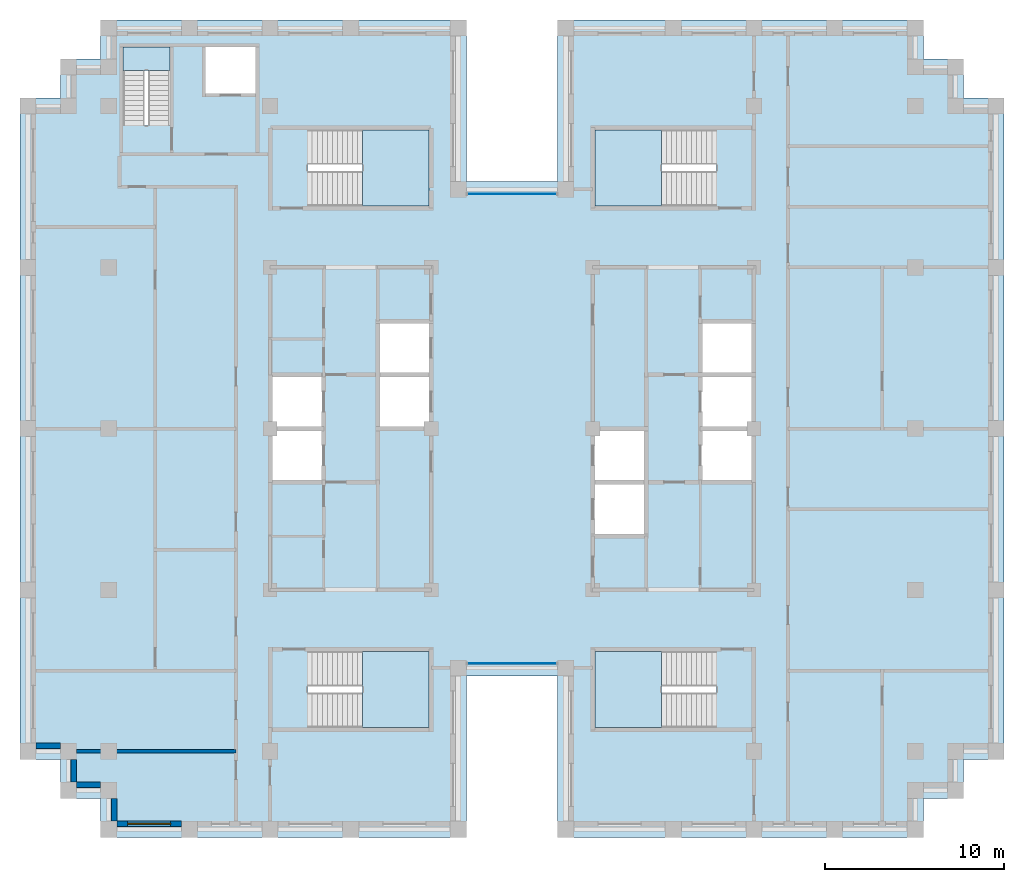
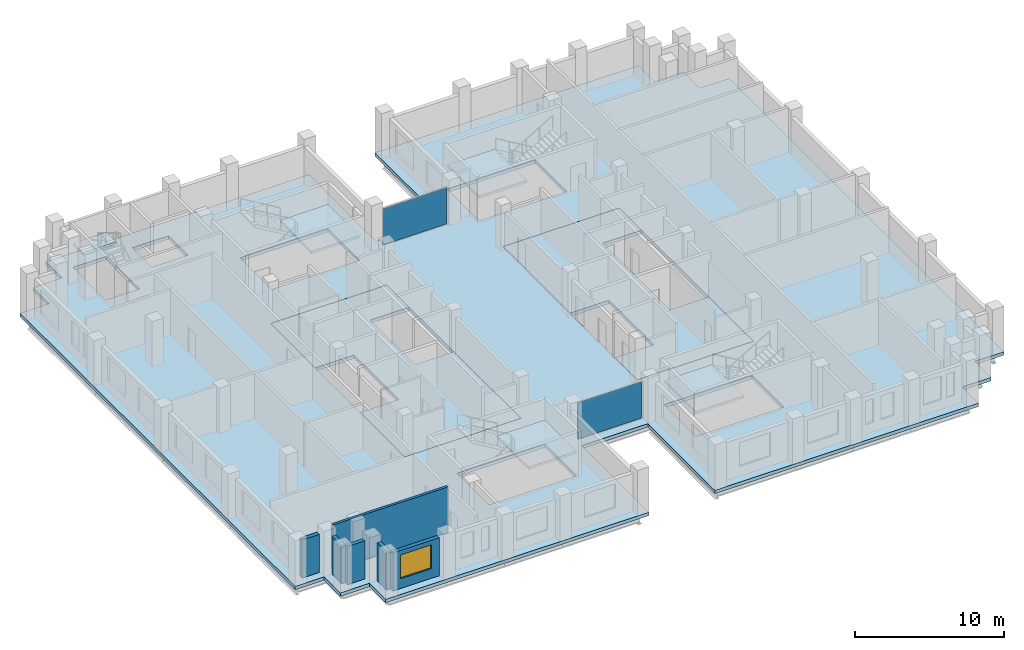
# One storey, part 5 of 13: 8 slabs, 6 walls, 2 plates, 1 window, 1 opening, 7 elements without a shape of their own.
"""IFC4 building model written with IfcOpenShell, lengths in metres."""

from ifc_helpers import new_model, si_unit, direction, frame, frame_2d, origin, origin_2d, place, context, subcontext, project, spatial, polyline, rectangle, outline, extrude, material, layer, layer_set, type_object, element, fill, aggregate, save


model = new_model("IFC4")

# Units and contexts
model_context = context("Model", 3, precision=1e-05, world=origin(), true_north=direction((0.0, 1.0)))
body_context = subcontext(model_context, "Body", "Model", "MODEL_VIEW")
ifc_project = project(units=[si_unit("LENGTHUNIT", "METRE"), si_unit("AREAUNIT", "SQUARE_METRE"), si_unit("VOLUMEUNIT", "CUBIC_METRE"), si_unit("PLANEANGLEUNIT", "RADIAN"), si_unit("MASSUNIT", "GRAM", prefix="KILO")], contexts=[model_context])

# Site, building, storey
site_placement = place(None, origin())
site = spatial("IfcSite", under=ifc_project, at=site_placement, CompositionType="ELEMENT")
building_placement = place(site_placement, origin())
building = spatial("IfcBuilding", under=site, at=building_placement, Name="Corbelhall Arena Tower", CompositionType="ELEMENT")
storey_placement = place(building_placement, frame((0.0, 0.0, 258.0)))
storey = spatial("IfcBuildingStorey", under=building, at=storey_placement, Name="L55", CompositionType="ELEMENT", Elevation=258.0)

# Curtain wall, plate
ifc_material_1 = material(Name="Aluminium black anodised", Category="aluminium")
ifc_layer_1 = layer(ifc_material_1, 0.199951171875)
ifc_layer_set_1 = layer_set([ifc_layer_1], Name="EV-CW1 Slot back wall")
curtain_wall_type = type_object("IfcCurtainWallType", Name="EV-CW1 Slot back wall", PredefinedType="NOTDEFINED", material=ifc_layer_set_1)
curtain_wall_1_placement = place(storey_placement, origin())
curtain_wall_1 = element("IfcCurtainWall", 1, at=curtain_wall_1_placement, inside=storey, type_object=curtain_wall_type, Name="Curtain wall CW1", PredefinedType="NOTDEFINED")
ifc_material_2 = material(Name="Glass dark tinted laminated", Category="glass")
ifc_layer_2 = layer(ifc_material_2, 0.028076171875)
ifc_layer_set_2 = layer_set([ifc_layer_2], Name="EV-CW1-PANEL")
plate_type = type_object("IfcPlateType", Name="EV-CW1-PANEL", PredefinedType="CURTAIN_PANEL", material=ifc_layer_set_2)
plate_1_placement = place(storey_placement, frame((0.0, -13.10009765625, 0.0751953125), z_axis=(0.0, 0.0, 1.0), x_axis=(1.0, 0.0, 0.0)))
plate_1 = element("IfcPlate", 2, at=plate_1_placement, type_object=plate_type, Name="CW1 panel 1.1", PredefinedType="CURTAIN_PANEL", context=body_context, shape_type="SweptSolid", body=[
    extrude(rectangle(XDim=4.949951171875, YDim=0.028076171875, at=origin_2d()), origin(), (0.0, 0.0, 1.0), 2.969970703125),
])
aggregate(curtain_wall_1, [plate_1])

curtain_wall_2_placement = place(storey_placement, origin())
curtain_wall_2 = element("IfcCurtainWall", 3, at=curtain_wall_2_placement, inside=storey, type_object=curtain_wall_type, Name="Curtain wall CW1", PredefinedType="NOTDEFINED")
plate_2_placement = place(storey_placement, frame((0.0, 13.10009765625, 0.0751953125), z_axis=(0.0, 0.0, 1.0), x_axis=(-1.0, 0.0, 0.0)))
plate_2 = element("IfcPlate", 4, at=plate_2_placement, type_object=plate_type, Name="CW1 panel 1.1", PredefinedType="CURTAIN_PANEL", context=body_context, shape_type="SweptSolid", body=[
    extrude(rectangle(XDim=4.949951171875, YDim=0.028076171875, at=origin_2d()), origin(), (0.0, 0.0, 1.0), 2.969970703125),
])
aggregate(curtain_wall_2, [plate_2])

# Slabs
ifc_material_3 = material(Name="Concrete C40/50", Category="concrete")
ifc_layer_3 = layer(ifc_material_3, 0.300048828125)
ifc_layer_set_3 = layer_set([ifc_layer_3], Name="IN-SL-CORE")
slab_type_1 = type_object("IfcSlabType", Name="IN-SL-CORE", PredefinedType="FLOOR", material=ifc_layer_set_3)
slab_1_placement = place(storey_placement, frame((0.0, 0.0, -0.280029296875)))
element("IfcSlab", 5, at=slab_1_placement, inside=storey, type_object=slab_type_1, Name="Core floor W", PredefinedType="FLOOR", context=body_context, shape_type="SweptSolid", body=[
    extrude(outline(polyline([(-10.5, -3.0), (-13.5, -3.0), (-13.5, -9.0), (-4.5, -9.0), (-4.5, 0.0), (-7.5, 0.0), (-7.5, 3.0), (-7.5, 6.0), (-4.5, 6.0), (-4.5, 9.0), (-13.5, 9.0), (-13.5, 3.0), (-10.5, 3.0), (-10.5, 0.0), (-10.5, -3.0)])), origin(), (0.0, 0.0, 1.0), 0.280029296875),
])
slab_2_placement = place(storey_placement, frame((0.0, 0.0, -0.280029296875)))
element("IfcSlab", 6, at=slab_2_placement, inside=storey, type_object=slab_type_1, Name="Core floor E", PredefinedType="FLOOR", context=body_context, shape_type="SweptSolid", body=[
    extrude(outline(polyline([(13.5, -3.0), (10.5, -3.0), (10.5, 0.0), (10.5, 3.0), (10.5, 6.0), (13.5, 6.0), (13.5, 9.0), (4.5, 9.0), (4.5, 0.0), (7.5, 0.0), (7.5, -3.0), (7.5, -6.0), (4.5, -6.0), (4.5, -9.0), (13.5, -9.0), (13.5, -3.0)])), origin(), (0.0, 0.0, 1.0), 0.280029296875),
])

# Stair, slab
stair_type = type_object("IfcStairType", Name="IN-ST-TOWER", PredefinedType="HALF_TURN_STAIR", material=ifc_material_3)
stair_1_placement = place(storey_placement, origin())
stair_1 = element("IfcStair", 7, at=stair_1_placement, inside=storey, type_object=stair_type, Name="L55 Exit stair ST1", PredefinedType="HALF_TURN_STAIR")
ifc_layer_4 = layer(ifc_material_3, 0.199951171875)
ifc_layer_set_4 = layer_set([ifc_layer_4], Name="IN-SL-LANDING")
slab_type_2 = type_object("IfcSlabType", Name="IN-SL-LANDING", PredefinedType="LANDING", material=ifc_layer_set_4)
slab_3_placement = place(storey_placement, frame((0.0, 0.0, 1.800048828125)))
slab_3 = element("IfcSlab", 8, at=slab_3_placement, type_object=slab_type_2, Name="ST1 landing 1", PredefinedType="LANDING", context=body_context, shape_type="SweptSolid", body=[
    extrude(outline(polyline([(-8.344970703125, 12.425048828125), (-4.625, 12.425048828125), (-4.625, 16.675048828125), (-8.344970703125, 16.675048828125), (-8.344970703125, 12.425048828125)])), origin(), (0.0, 0.0, 1.0), 0.199951171875),
])
aggregate(stair_1, [slab_3])

stair_2_placement = place(storey_placement, origin())
stair_2 = element("IfcStair", 9, at=stair_2_placement, inside=storey, type_object=stair_type, Name="L55 Exit stair ST2", PredefinedType="HALF_TURN_STAIR")
slab_4_placement = place(storey_placement, frame((0.0, 0.0, 1.800048828125)))
slab_4 = element("IfcSlab", 10, at=slab_4_placement, type_object=slab_type_2, Name="ST2 landing 1", PredefinedType="LANDING", context=body_context, shape_type="SweptSolid", body=[
    extrude(outline(polyline([(-8.344970703125, -16.675048828125), (-4.625, -16.675048828125), (-4.625, -12.425048828125), (-8.344970703125, -12.425048828125), (-8.344970703125, -16.675048828125)])), origin(), (0.0, 0.0, 1.0), 0.199951171875),
])
aggregate(stair_2, [slab_4])

stair_3_placement = place(storey_placement, origin())
stair_3 = element("IfcStair", 11, at=stair_3_placement, inside=storey, type_object=stair_type, Name="L55 Exit stair ST3", PredefinedType="HALF_TURN_STAIR")
slab_5_placement = place(storey_placement, frame((0.0, 0.0, 1.800048828125)))
slab_5 = element("IfcSlab", 12, at=slab_5_placement, type_object=slab_type_2, Name="ST3 landing 1", PredefinedType="LANDING", context=body_context, shape_type="SweptSolid", body=[
    extrude(outline(polyline([(8.344970703125, 16.675048828125), (4.625, 16.675048828125), (4.625, 12.425048828125), (8.344970703125, 12.425048828125), (8.344970703125, 16.675048828125)])), origin(), (0.0, 0.0, 1.0), 0.199951171875),
])
aggregate(stair_3, [slab_5])

stair_4_placement = place(storey_placement, origin())
stair_4 = element("IfcStair", 13, at=stair_4_placement, inside=storey, type_object=stair_type, Name="L55 Exit stair ST4", PredefinedType="HALF_TURN_STAIR")
slab_6_placement = place(storey_placement, frame((0.0, 0.0, 1.800048828125)))
slab_6 = element("IfcSlab", 14, at=slab_6_placement, type_object=slab_type_2, Name="ST4 landing 1", PredefinedType="LANDING", context=body_context, shape_type="SweptSolid", body=[
    extrude(outline(polyline([(8.344970703125, -12.425048828125), (4.625, -12.425048828125), (4.625, -16.675048828125), (8.344970703125, -16.675048828125), (8.344970703125, -12.425048828125)])), origin(), (0.0, 0.0, 1.0), 0.199951171875),
])
aggregate(stair_4, [slab_6])

stair_5_placement = place(storey_placement, origin())
stair_5 = element("IfcStair", 15, at=stair_5_placement, inside=storey, type_object=stair_type, Name="L55 Exit stair ST5", PredefinedType="HALF_TURN_STAIR")
slab_7_placement = place(storey_placement, frame((0.0, 0.0, 1.800048828125)))
slab_7 = element("IfcSlab", 16, at=slab_7_placement, type_object=slab_type_2, Name="ST5 landing 1", PredefinedType="LANDING", context=body_context, shape_type="SweptSolid", body=[
    extrude(outline(polyline([(-19.094970703125, 19.97998046875), (-19.094970703125, 21.300048828125), (-21.695068359375, 21.300048828125), (-21.695068359375, 19.97998046875), (-19.094970703125, 19.97998046875)])), origin(), (0.0, 0.0, 1.0), 0.199951171875),
])
aggregate(stair_5, [slab_7])

# Slab
ifc_layer_5 = layer(ifc_material_3, 0.280029296875)
ifc_layer_set_5 = layer_set([ifc_layer_5], Name="ST-SLAB-FLOOR-280")
slab_type_3 = type_object("IfcSlabType", Name="ST-SLAB-FLOOR-280", PredefinedType="FLOOR", material=ifc_layer_set_5)
slab_8_placement = place(storey_placement, frame((0.0, 0.0, -0.280029296875)))
element("IfcSlab", 17, at=slab_8_placement, inside=storey, type_object=slab_type_3, Name="Floor slab L55 1", PredefinedType="FLOOR", context=body_context, shape_type="SweptSolid", body=[
    extrude(outline(polyline([(22.949951171875, 22.800048828125), (2.550048828125, 22.800048828125), (2.550048828125, 13.800048828125), (-2.550048828125, 13.800048828125), (-2.550048828125, 22.800048828125), (-22.949951171875, 22.800048828125), (-22.949951171875, 20.625), (-25.199951171875, 20.625), (-25.199951171875, 18.449951171875), (-27.449951171875, 18.449951171875), (-27.449951171875, -18.449951171875), (-25.199951171875, -18.449951171875), (-25.199951171875, -20.625), (-22.949951171875, -20.625), (-22.949951171875, -22.800048828125), (-2.550048828125, -22.800048828125), (-2.550048828125, -13.800048828125), (2.550048828125, -13.800048828125), (2.550048828125, -22.800048828125), (22.949951171875, -22.800048828125), (22.949951171875, -20.625), (25.199951171875, -20.625), (25.199951171875, -18.449951171875), (27.449951171875, -18.449951171875), (27.449951171875, 18.449951171875), (25.199951171875, 18.449951171875), (25.199951171875, 20.625), (22.949951171875, 20.625), (22.949951171875, 22.800048828125)]), holes=[polyline([(-13.5, 9.0), (-13.5, -9.0), (-4.5, -9.0), (-4.5, 9.0), (-13.5, 9.0)]), polyline([(4.5, 9.0), (4.5, -9.0), (13.5, -9.0), (13.5, 9.0), (4.5, 9.0)]), polyline([(-4.625, 16.675048828125), (-11.422119140625, 16.675048828125), (-11.422119140625, 12.425048828125), (-4.625, 12.425048828125), (-4.625, 16.675048828125)]), polyline([(-4.625, -16.675048828125), (-4.625, -12.425048828125), (-11.422119140625, -12.425048828125), (-11.422119140625, -16.675048828125), (-4.625, -16.675048828125)]), polyline([(11.422119140625, 16.675048828125), (4.625, 16.675048828125), (4.625, 12.425048828125), (11.422119140625, 12.425048828125), (11.422119140625, 16.675048828125)]), polyline([(11.422119140625, -16.675048828125), (11.422119140625, -12.425048828125), (4.625, -12.425048828125), (4.625, -16.675048828125), (11.422119140625, -16.675048828125)]), polyline([(-21.695068359375, 21.300048828125), (-21.695068359375, 16.903076171875), (-19.094970703125, 16.903076171875), (-19.094970703125, 21.300048828125), (-21.695068359375, 21.300048828125)]), polyline([(-14.300048828125, 21.300048828125), (-17.10009765625, 21.300048828125), (-17.10009765625, 18.699951171875), (-14.300048828125, 18.699951171875), (-14.300048828125, 21.300048828125)])]), origin(), (0.0, 0.0, 1.0), 0.280029296875),
])

# Walls
ifc_material_4 = material(Name="Precast concrete C40/50 with granite facing", Category="masonry")
ifc_layer_6 = layer(ifc_material_4, 0.300048828125)
ifc_layer_set_6 = layer_set([ifc_layer_6], Name="EV-IW1 Infill panel 300")
wall_type_1 = type_object("IfcWallType", Name="EV-IW1 Infill panel 300", PredefinedType="SOLIDWALL", material=ifc_layer_set_6)
wall_1_placement = place(storey_placement, frame((-26.550048828125, -17.699951171875, 0.0), z_axis=(0.0, 0.0, 1.0), x_axis=(1.0, 0.0, 0.0)))
element("IfcWall", 18, at=wall_1_placement, inside=storey, type_object=wall_type_1, Name="Infill panel IW1", PredefinedType="SOLIDWALL", context=body_context, shape_type="SweptSolid", body=[
    extrude(rectangle(XDim=1.35009765625, YDim=0.300048828125, at=frame_2d((0.675048828125, 0.0))), origin(), (0.0, 0.0, 1.0), 3.1201171875),
])
wall_2_placement = place(storey_placement, frame((-24.449951171875, -18.449951171875, 0.0), z_axis=(0.0, 0.0, 1.0), x_axis=(0.0, -1.0, 0.0)))
element("IfcWall", 19, at=wall_2_placement, inside=storey, type_object=wall_type_1, Name="Infill panel IW1", PredefinedType="SOLIDWALL", context=body_context, shape_type="SweptSolid", body=[
    extrude(rectangle(XDim=1.275146484375, YDim=0.300048828125, at=frame_2d((0.6376953125, 0.0))), origin(), (0.0, 0.0, 1.0), 3.1201171875),
])
wall_3_placement = place(storey_placement, frame((-24.300048828125, -19.875, 0.0), z_axis=(0.0, 0.0, 1.0), x_axis=(1.0, 0.0, 0.0)))
element("IfcWall", 20, at=wall_3_placement, inside=storey, type_object=wall_type_1, Name="Infill panel IW1", PredefinedType="SOLIDWALL", context=body_context, shape_type="SweptSolid", body=[
    extrude(rectangle(XDim=1.35009765625, YDim=0.300048828125, at=frame_2d((0.675048828125, 0.0))), origin(), (0.0, 0.0, 1.0), 3.1201171875),
])
wall_4_placement = place(storey_placement, frame((-22.199951171875, -20.625, 0.0), z_axis=(0.0, 0.0, 1.0), x_axis=(0.0, -1.0, 0.0)))
element("IfcWall", 21, at=wall_4_placement, inside=storey, type_object=wall_type_1, Name="Infill panel IW1", PredefinedType="SOLIDWALL", context=body_context, shape_type="SweptSolid", body=[
    extrude(rectangle(XDim=1.27490234375, YDim=0.300048828125, at=frame_2d((0.637451171875, 0.0))), origin(), (0.0, 0.0, 1.0), 3.1201171875),
])

# Wall, opening, window
wall_5_placement = place(storey_placement, frame((-22.050048828125, -22.050048828125, 0.0), z_axis=(0.0, 0.0, 1.0), x_axis=(1.0, 0.0, 0.0)))
wall_5 = element("IfcWall", 22, at=wall_5_placement, inside=storey, type_object=wall_type_1, Name="Infill panel IW1", PredefinedType="SOLIDWALL", context=body_context, shape_type="SweptSolid", body=[
    extrude(rectangle(XDim=3.60009765625, YDim=0.300048828125, at=frame_2d((1.800048828125, 0.0))), origin(), (0.0, 0.0, 1.0), 3.1201171875),
])
opening_placement = place(wall_5_placement, frame((0.60009765625, 0.0, 0.800048828125)))
opening = element("IfcOpeningElement", 23, at=opening_placement, cuts=wall_5, Name="Opening WN1", PredefinedType="OPENING", context=body_context, shape_type="SweptSolid", body=[
    extrude(rectangle(XDim=2.39990234375, YDim=1.949951171875, at=frame_2d((1.199951171875, 0.97509765625))), frame((0.0, 0.14990234375, 0.0), z_axis=(0.0, -1.0, 0.0), x_axis=(1.0, 0.0, 0.0)), (0.0, 0.0, 1.0), 0.300048828125),
])
window_type = type_object("IfcWindowType", Name="EV-WN1 Office window", PartitioningType="SINGLE_PANEL", PredefinedType="WINDOW", material=ifc_material_1)
window_placement = place(opening_placement, origin())
window = element("IfcWindow", 24, at=window_placement, inside=storey, type_object=window_type, Name="Window WN1", OverallHeight=1.949951171875, OverallWidth=2.39990234375, PartitioningType="SINGLE_PANEL", PredefinedType="WINDOW", context=body_context, shape_type="SweptSolid", body=[
    extrude(rectangle(XDim=2.39990234375, YDim=1.949951171875, at=frame_2d((1.199951171875, 0.97509765625))), frame((0.0, 0.030029296875, 0.0), z_axis=(0.0, -1.0, 0.0), x_axis=(1.0, 0.0, 0.0)), (0.0, 0.0, 1.0), 0.06005859375),
])
fill(opening, window)

# Wall
ifc_material_5 = material(Name="Gypsum board on steel stud, acoustic", Category="steel")
ifc_layer_7 = layer(ifc_material_5, 0.199951171875)
ifc_layer_set_7 = layer_set([ifc_layer_7], Name="IN-W-DM200")
wall_type_2 = type_object("IfcWallType", Name="IN-W-DM200", PredefinedType="PARTITIONING", material=ifc_layer_set_7)
wall_6_placement = place(storey_placement, frame((-24.300048828125, -18.0, 0.0), z_axis=(0.0, 0.0, 1.0), x_axis=(1.0, 0.0, 0.0)))
element("IfcWall", 25, at=wall_6_placement, inside=storey, type_object=wall_type_2, Name="Partition 003", PredefinedType="PARTITIONING", context=body_context, shape_type="SweptSolid", body=[
    extrude(rectangle(XDim=8.900146484375, YDim=0.199951171875, at=frame_2d((4.4501953125, 0.0))), origin(), (0.0, 0.0, 1.0), 3.719970703125),
])

save(model, "model.ifc")
